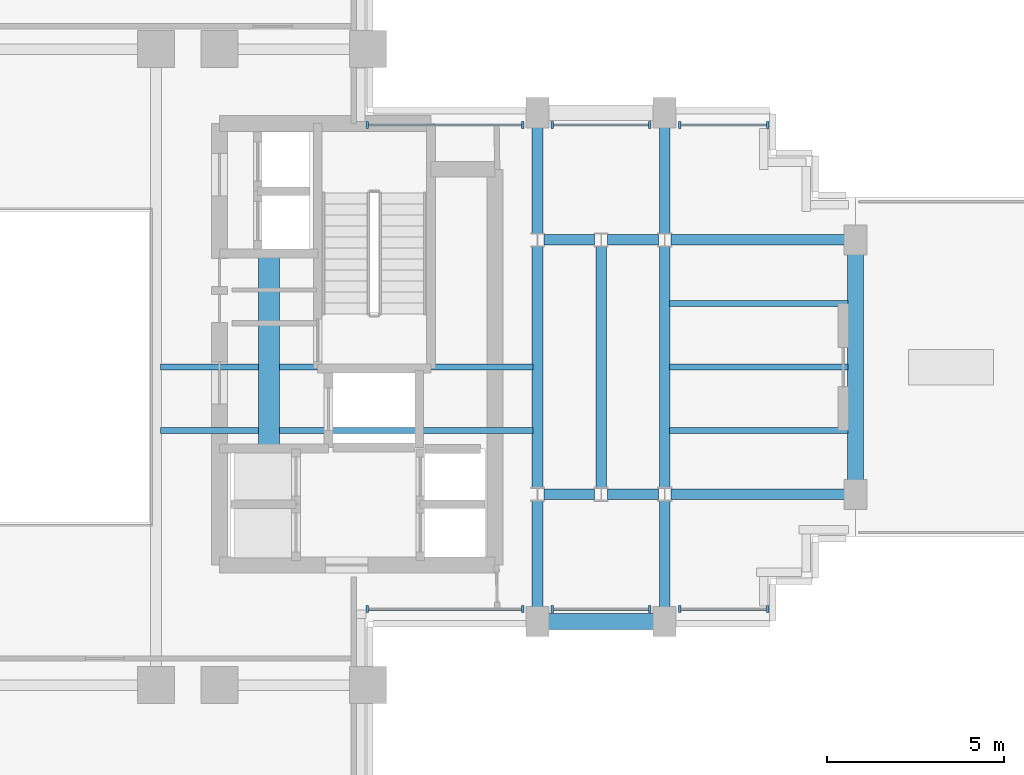
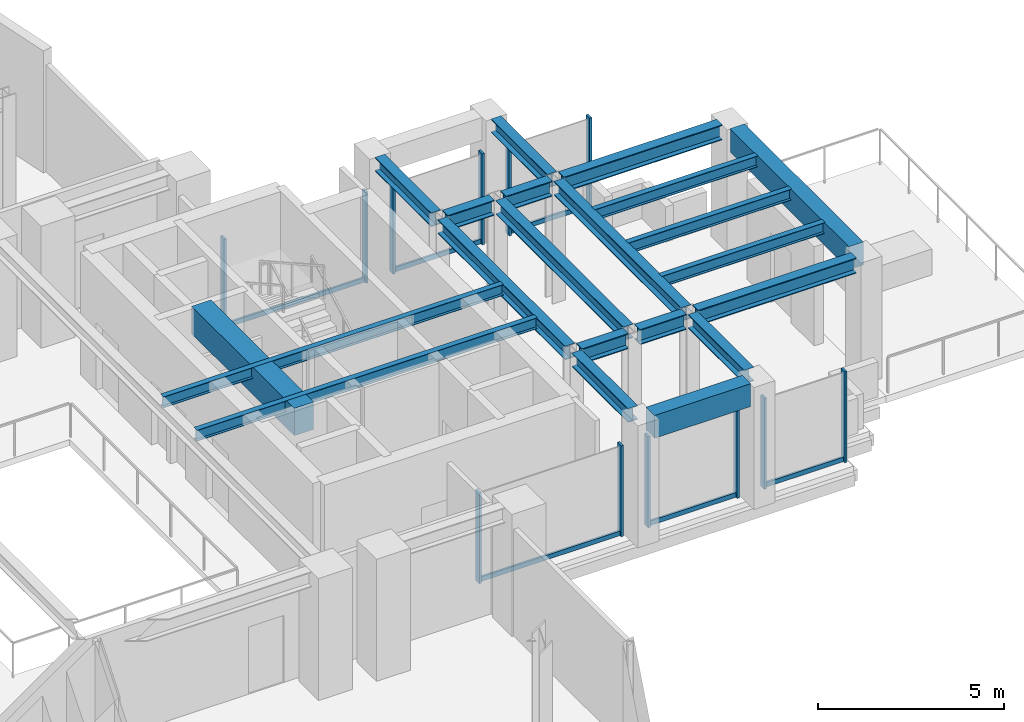
# One storey, part 5 of 16: 21 beams, 18 members, 6 elements without a shape of their own.
"""IFC4 building model written with IfcOpenShell, lengths in metres."""

import ifcopenshell
import ifcopenshell.guid

model = None  # the IFC model being written
_history = None  # IfcOwnerHistory: only IFC2X3 demands one
_inside = {}  # id of a spatial element -> (the spatial element, [elements in it])
_under = {}  # id of a project, library or spatial element -> (it, [spatial elements below it])
_declared = {}  # id of a project -> (the project, [libraries it declares])
_typed = {}  # id of a type object -> (the type object, [elements of that type])
_made_of = {}  # id of a material, layer set ... -> (it, [elements and type objects made of it])


def new_model(schema):
    """Start an empty IFC model of exactly this schema.

    Asked for "IFC4X3", IfcOpenShell would pick the latest addendum, in which some entities
    have other attributes; the version numbers below select the first issue.
    IFC2X3 requires an IfcOwnerHistory on every rooted entity: one is made here for all.
    """
    global model, _history
    if schema == "IFC4X3":
        model = ifcopenshell.file(schema_version=(4, 3, 0, 0))
    else:
        model = ifcopenshell.file(schema=schema)
    _inside.clear()
    _under.clear()
    _declared.clear()
    _typed.clear()
    _made_of.clear()
    _history = None
    if model.schema == "IFC2X3":
        org = make("IfcOrganization", Name="unknown")
        user = make(
            "IfcPersonAndOrganization",
            ThePerson=make("IfcPerson", FamilyName="unknown"),
            TheOrganization=org,
        )
        app = make(
            "IfcApplication",
            ApplicationDeveloper=org,
            Version="unknown",
            ApplicationFullName="unknown",
            ApplicationIdentifier="unknown",
        )
        _history = make(
            "IfcOwnerHistory",
            OwningUser=user,
            OwningApplication=app,
            ChangeAction="ADDED",
            CreationDate=0,
        )
    return model


def make(cls, **values):
    """One entity of the class cls with the attributes given. An attribute that is None is left unset."""
    return model.create_entity(
        cls, **{name: value for name, value in values.items() if value is not None}
    )


def rooted(cls, **values):
    """An entity with a GlobalId (a new one), such as an element, a storey or a relation."""
    return make(cls, GlobalId=ifcopenshell.guid.new(), OwnerHistory=_history, **values)


def si_unit(unit_type, name, prefix=None):
    """IfcSIUnit, for example si_unit("LENGTHUNIT", "METRE", prefix="MILLI")."""
    return make("IfcSIUnit", UnitType=unit_type, Prefix=prefix, Name=name)


def assignment(units):
    """IfcUnitAssignment: the units of a project."""
    return None if units is None else make("IfcUnitAssignment", Units=units)


def point(xyz):
    """IfcCartesianPoint."""
    return None if xyz is None else make("IfcCartesianPoint", Coordinates=xyz)


def direction(xyz):
    """IfcDirection."""
    return None if xyz is None else make("IfcDirection", DirectionRatios=xyz)


def frame(location, z_axis=None, x_axis=None):
    """IfcAxis2Placement3D, a coordinate frame: its origin and axes. An axis left out is left unset."""
    return make(
        "IfcAxis2Placement3D",
        Location=point(location),
        Axis=direction(z_axis),
        RefDirection=direction(x_axis),
    )


def frame_2d(location, x_axis=None):
    """IfcAxis2Placement2D, a coordinate frame in the plane: its origin and x axis."""
    return make(
        "IfcAxis2Placement2D", Location=point(location), RefDirection=direction(x_axis)
    )


def origin():
    """The frame at (0, 0, 0) with its axes left unset."""
    return frame((0.0, 0.0, 0.0))


def origin_2d():
    """The frame at (0, 0) in the plane with its x axis left unset."""
    return frame_2d((0.0, 0.0))


def place(relative_to, where):
    """IfcLocalPlacement: puts the frame where relative to a parent placement (None: the world)."""
    return make(
        "IfcLocalPlacement", PlacementRelTo=relative_to, RelativePlacement=where
    )


def context(
    kind, dimensions, precision=None, world=None, true_north=None, identifier=None
):
    """IfcGeometricRepresentationContext, for example the 3D "Model" context."""
    return make(
        "IfcGeometricRepresentationContext",
        ContextIdentifier=identifier,
        ContextType=kind,
        CoordinateSpaceDimension=dimensions,
        Precision=precision,
        WorldCoordinateSystem=world,
        TrueNorth=true_north,
    )


def subcontext(parent, identifier, kind, view, scale=None):
    """IfcGeometricRepresentationSubContext, for example "Body" below "Model"."""
    return make(
        "IfcGeometricRepresentationSubContext",
        ContextIdentifier=identifier,
        ContextType=kind,
        ParentContext=parent,
        TargetScale=scale,
        TargetView=view,
    )


def project(units=None, contexts=None):
    """IfcProject with its units and contexts."""
    return rooted(
        "IfcProject",
        Name="project",
        RepresentationContexts=contexts,
        UnitsInContext=assignment(units),
    )


def spatial(cls, under=None, at=None, **own):
    """A site, building, storey or space (cls), placed at a placement, below another one or the project."""
    s = rooted(cls, ObjectPlacement=at, **own)
    if under is not None:
        _under.setdefault(under.id(), (under, []))[1].append(s)
    return s


def profile(cls, at=None, kind="AREA", **sizes):
    """A parametric profile (cls). Its sizes go by their IFC names, for example OverallWidth=200.0."""
    return make(cls, ProfileType=kind, Position=at, **sizes)


def rectangle(**sizes):
    """IfcRectangleProfileDef."""
    return profile("IfcRectangleProfileDef", **sizes)


def i_section(**sizes):
    """IfcIShapeProfileDef."""
    return profile("IfcIShapeProfileDef", **sizes)


def extrude(swept, where, along, depth):
    """IfcExtrudedAreaSolid: the profile swept, set in the frame where, extruded along a direction by depth."""
    return make(
        "IfcExtrudedAreaSolid",
        SweptArea=swept,
        Position=where,
        ExtrudedDirection=direction(along),
        Depth=depth,
    )


def shape(context_of_items, identifier, shape_type, items):
    """IfcShapeRepresentation: the items that make up one representation, for example the "Body"."""
    return make(
        "IfcShapeRepresentation",
        ContextOfItems=context_of_items,
        RepresentationIdentifier=identifier,
        RepresentationType=shape_type,
        Items=items,
    )


def source(mapping_origin, context_of_items, identifier, shape_type, items):
    """IfcRepresentationMap: a shape defined once, which mapped items show again and again."""
    return make(
        "IfcRepresentationMap",
        MappingOrigin=mapping_origin,
        MappedRepresentation=shape(context_of_items, identifier, shape_type, items),
    )


def transform(
    local_origin,
    x_axis=None,
    y_axis=None,
    z_axis=None,
    scale=None,
    scale2=None,
    scale3=None,
    uniform=True,
):
    """IfcCartesianTransformationOperator3D, or its non-uniform kind. x_axis, y_axis, z_axis: its Axis1, 2, 3."""
    if uniform:
        return make(
            "IfcCartesianTransformationOperator3D",
            Axis1=direction(x_axis),
            Axis2=direction(y_axis),
            LocalOrigin=point(local_origin),
            Scale=scale,
            Axis3=direction(z_axis),
        )
    return make(
        "IfcCartesianTransformationOperator3DnonUniform",
        Axis1=direction(x_axis),
        Axis2=direction(y_axis),
        LocalOrigin=point(local_origin),
        Scale=scale,
        Axis3=direction(z_axis),
        Scale2=scale2,
        Scale3=scale3,
    )


def mapped(mapping_source, mapping_target):
    """IfcMappedItem: shows the shape of a source again, moved by a transform."""
    return make(
        "IfcMappedItem", MappingSource=mapping_source, MappingTarget=mapping_target
    )


def material(Name=None, Category=None):
    """IfcMaterial."""
    return make("IfcMaterial", Name=Name, Category=Category)


def material_profile(
    of_material, cross_section, Name=None, Category=None, Priority=None
):
    """IfcMaterialProfile: a cross section and its material."""
    return make(
        "IfcMaterialProfile",
        Name=Name,
        Material=of_material,
        Profile=cross_section,
        Priority=Priority,
        Category=Category,
    )


def profile_set(profiles, Name=None, composite=None):
    """IfcMaterialProfileSet."""
    return make(
        "IfcMaterialProfileSet",
        Name=Name,
        MaterialProfiles=profiles,
        CompositeProfile=composite,
    )


def made_of(thing, what):
    """Note that an element or type object is made of a material, layer set ...; save() writes the relation."""
    if what is not None:
        _made_of.setdefault(what.id(), (what, []))[1].append(thing)
    return thing


def type_object(cls, material=None, **own):
    """A type object (cls), such as IfcWallType, which elements share."""
    return made_of(rooted(cls, **own), material)


def element(
    cls,
    number,
    at=None,
    inside=None,
    cuts=None,
    type_object=None,
    material=None,
    context=None,
    identifier="Body",
    shape_type=None,
    held_by="IfcProductDefinitionShape",
    body=None,
    shapes=None,
    **own,
):
    """One element of the class cls, such as IfcWall. Its Tag is "e" and its number.

    at: its placement. inside: the storey or other place that contains it. cuts: it is an
    opening in that element (IfcRelVoidsElement). A single representation is given by context,
    identifier, shape_type and body (its items); several are given by shapes. held_by: the class
    of the entity that holds the representations. save() writes the other relations.
    """
    e = rooted(cls, Tag="e%d" % number, ObjectPlacement=at, **own)
    if body is not None:
        shapes = [shape(context, identifier, shape_type, body)]
    if shapes is not None:
        e.Representation = make(held_by, Representations=shapes)
    if inside is not None:
        _inside.setdefault(inside.id(), (inside, []))[1].append(e)
    if cuts is not None:
        rooted(
            "IfcRelVoidsElement", RelatingBuildingElement=cuts, RelatedOpeningElement=e
        )
    if type_object is not None:
        _typed.setdefault(type_object.id(), (type_object, []))[1].append(e)
    return made_of(e, material)


def aggregate(whole, parts):
    """IfcRelAggregates: a whole, such as a stair, and the parts it consists of."""
    return rooted("IfcRelAggregates", RelatingObject=whole, RelatedObjects=parts)


def save(model, path):
    """Write the relations noted so far, then the file.

    IfcRelAggregates (storeys below a building ...), IfcRelContainedInSpatialStructure (elements
    in a storey), IfcRelDefinesByType, IfcRelAssociatesMaterial and IfcRelDeclares: one each for
    every whole, place, type object, material and project.
    """
    for whole, parts in _under.values():
        aggregate(whole, parts)
    for where, things in _inside.values():
        rooted(
            "IfcRelContainedInSpatialStructure",
            RelatedElements=things,
            RelatingStructure=where,
        )
    for kind, things in _typed.values():
        rooted("IfcRelDefinesByType", RelatedObjects=things, RelatingType=kind)
    for what, things in _made_of.values():
        rooted("IfcRelAssociatesMaterial", RelatedObjects=things, RelatingMaterial=what)
    for by, libraries in _declared.values():
        rooted("IfcRelDeclares", RelatingContext=by, RelatedDefinitions=libraries)
    model.write(path)


model = new_model("IFC4")

# Units and contexts
model_context = context("Model", 3, precision=1e-05, world=origin(), true_north=direction((0.0, 1.0)))
body_context = subcontext(model_context, "Body", "Model", "MODEL_VIEW")
ifc_project = project(units=[si_unit("LENGTHUNIT", "METRE"), si_unit("AREAUNIT", "SQUARE_METRE"), si_unit("VOLUMEUNIT", "CUBIC_METRE"), si_unit("PLANEANGLEUNIT", "RADIAN"), si_unit("MASSUNIT", "GRAM", prefix="KILO")], contexts=[model_context])

# Site, building, storey
site_placement = place(None, origin())
site = spatial("IfcSite", under=ifc_project, at=site_placement, CompositionType="ELEMENT")
building_placement = place(site_placement, origin())
building = spatial("IfcBuilding", under=site, at=building_placement, Name="Keilestroom Media Tower", CompositionType="ELEMENT")
storey_placement = place(building_placement, frame((0.0, 0.0, 93.0)))
storey = spatial("IfcBuildingStorey", under=building, at=storey_placement, Name="L24", CompositionType="ELEMENT", Elevation=93.0)

# Beams
ifc_material_1 = material(Name="Concrete C70/85", Category="concrete")
ifc_material_profile_1 = material_profile(ifc_material_1, rectangle(XDim=0.60009765625, YDim=0.89990234375, at=origin_2d()), Name="RC 600x900")
ifc_profile_set_1 = profile_set([ifc_material_profile_1], Name="Concrete C70/85")
beam_type_1 = type_object("IfcBeamType", Name="Core-Coupling-Lintel-Beam-RC-600x900", PredefinedType="LINTEL", material=ifc_profile_set_1)
shared_shape_1 = source(origin(), body_context, "Body", "SweptSolid", [
    extrude(rectangle(XDim=0.60009765625, YDim=0.89990234375, at=origin_2d()), origin(), (0.0, 0.0, 1.0), 5.52001953125),
])
beam_1_placement = place(storey_placement, frame((6.800048828125, -2.300048828125, 3.550048828125), z_axis=(0.0, 1.0, 0.0), x_axis=(-1.0, 0.0, 0.0)))
element("IfcBeam", 1, at=beam_1_placement, inside=storey, type_object=beam_type_1, Name="L24 Beam CLB-1 CLB-L24-E", PredefinedType="LINTEL", context=body_context, shape_type="MappedRepresentation", body=[
    mapped(shared_shape_1, transform((0.0, 0.0, 0.0), x_axis=(1.0, 0.0, 0.0), y_axis=(0.0, 1.0, 0.0), z_axis=(0.0, 0.0, 1.0), scale=1.0)),
])
ifc_material_2 = material(Name="Steel S355", Category="steel")
ifc_material_profile_2 = material_profile(ifc_material_2, i_section(OverallWidth=0.169921875, OverallDepth=0.360107421875, WebThickness=0.008056640625, FlangeThickness=0.0126953125, at=origin_2d()), Name="IPE 360")
ifc_profile_set_2 = profile_set([ifc_material_profile_2], Name="Steel S355")
beam_type_2 = type_object("IfcBeamType", Name="Secondary-Floor-Joist-IPE-360", PredefinedType="JOIST", material=ifc_profile_set_2)
shared_shape_2 = source(origin(), body_context, "Body", "SweptSolid", [
    extrude(i_section(OverallWidth=0.169921875, OverallDepth=0.360107421875, WebThickness=0.008056640625, FlangeThickness=0.0126953125, at=origin_2d()), origin(), (0.0, 0.0, 1.0), 10.5400390625),
])
for number, where, z_axis, x_axis, name in (
    (2, (3.72998046875, -1.800048828125, 3.820068359375), (1.0, 0.0, 0.0), (0.0, 1.0, 0.0), "L24 Beam BJ-5 JST-L24-074"),
    (3, (3.72998046875, 0.0, 3.820068359375), (1.0, 0.0, 0.0), (0.0, 1.0, 0.0), "L24 Beam BJ-5 JST-L24-079"),
):
    element("IfcBeam", number, at=place(storey_placement, frame(where, z_axis=z_axis, x_axis=x_axis)), inside=storey, type_object=beam_type_2, Name=name, PredefinedType="JOIST", context=body_context, shape_type="MappedRepresentation", body=[
        mapped(shared_shape_2, transform((0.0, 0.0, 0.0), x_axis=(1.0, 0.0, 0.0), y_axis=(0.0, 1.0, 0.0), z_axis=(0.0, 0.0, 1.0), scale=1.0)),
    ])
ifc_material_3 = material(Name="Precast concrete C40/50", Category="concrete")
ifc_material_profile_3 = material_profile(ifc_material_3, rectangle(XDim=0.449951171875, YDim=0.75, at=origin_2d()), Name="PC 450x750")
ifc_profile_set_3 = profile_set([ifc_material_profile_3], Name="Precast concrete C40/50")
beam_type_3 = type_object("IfcBeamType", Name="Perimeter-Spandrel-Beam-PC-450x750", PredefinedType="SPANDREL", material=ifc_profile_set_3)
shared_shape_3 = source(origin(), body_context, "Body", "SweptSolid", [
    extrude(rectangle(XDim=0.449951171875, YDim=0.75, at=origin_2d()), origin(), (0.0, 0.0, 1.0), 2.989990234375),
])
beam_2_placement = place(storey_placement, frame((14.705078125, -7.199951171875, 3.625), z_axis=(1.0, 0.0, 0.0), x_axis=(0.0, 1.0, 0.0)))
element("IfcBeam", 4, at=beam_2_placement, inside=storey, type_object=beam_type_3, Name="L24 Beam SPB-1 BM-L24-EW-013", PredefinedType="SPANDREL", context=body_context, shape_type="MappedRepresentation", body=[
    mapped(shared_shape_3, transform((0.0, 0.0, 0.0), x_axis=(1.0, 0.0, 0.0), y_axis=(0.0, 1.0, 0.0), z_axis=(0.0, 0.0, 1.0), scale=1.0)),
])
ifc_material_profile_4 = material_profile(ifc_material_2, i_section(OverallWidth=0.300048828125, OverallDepth=0.5, WebThickness=0.012451171875, FlangeThickness=0.028076171875, at=origin_2d()), Name="HEB 500")
ifc_profile_set_4 = profile_set([ifc_material_profile_4], Name="Steel S355")
beam_type_4 = type_object("IfcBeamType", Name="Primary-Structural-Girder-HEB-500", PredefinedType="BEAM", material=ifc_profile_set_4)
shared_shape_4 = source(origin(), body_context, "Body", "SweptSolid", [
    extrude(i_section(OverallWidth=0.300048828125, OverallDepth=0.5, WebThickness=0.012451171875, FlangeThickness=0.028076171875, at=origin_2d()), origin(), (0.0, 0.0, 1.0), 4.91455078125),
])
for number, where, z_axis, x_axis, name in (
    (5, (18.180419921875, -3.60009765625, 3.75), (1.0, 0.0, 0.0), (0.0, 1.0, 0.0), "L24 Beam BG-6 BM-L24-EW-019"),
    (6, (18.180419921875, 3.60009765625, 3.75), (1.0, 0.0, 0.0), (0.0, 1.0, 0.0), "L24 Beam BG-6 BM-L24-EW-025"),
):
    element("IfcBeam", number, at=place(storey_placement, frame(where, z_axis=z_axis, x_axis=x_axis)), inside=storey, type_object=beam_type_4, Name=name, PredefinedType="BEAM", context=body_context, shape_type="MappedRepresentation", body=[
        mapped(shared_shape_4, transform((0.0, 0.0, 0.0), x_axis=(1.0, 0.0, 0.0), y_axis=(0.0, 1.0, 0.0), z_axis=(0.0, 0.0, 1.0), scale=1.0)),
    ])
shared_shape_5 = source(origin(), body_context, "Body", "SweptSolid", [
    extrude(i_section(OverallWidth=0.300048828125, OverallDepth=0.5, WebThickness=0.012451171875, FlangeThickness=0.028076171875, at=origin_2d()), origin(), (0.0, 0.0, 1.0), 1.43896484375),
])
for number, where, z_axis, x_axis, name in (
    (7, (14.58056640625, -3.60009765625, 3.75), (1.0, 0.0, 0.0), (0.0, 1.0, 0.0), "L24 Beam BG-6 BM-L24-EW-017"),
    (8, (16.380615234375, -3.60009765625, 3.75), (1.0, 0.0, 0.0), (0.0, 1.0, 0.0), "L24 Beam BG-6 BM-L24-EW-018"),
    (9, (14.58056640625, 3.60009765625, 3.75), (1.0, 0.0, 0.0), (0.0, 1.0, 0.0), "L24 Beam BG-6 BM-L24-EW-023"),
    (10, (16.380615234375, 3.60009765625, 3.75), (1.0, 0.0, 0.0), (0.0, 1.0, 0.0), "L24 Beam BG-6 BM-L24-EW-024"),
):
    element("IfcBeam", number, at=place(storey_placement, frame(where, z_axis=z_axis, x_axis=x_axis)), inside=storey, type_object=beam_type_4, Name=name, PredefinedType="BEAM", context=body_context, shape_type="MappedRepresentation", body=[
        mapped(shared_shape_5, transform((0.0, 0.0, 0.0), x_axis=(1.0, 0.0, 0.0), y_axis=(0.0, 1.0, 0.0), z_axis=(0.0, 0.0, 1.0), scale=1.0)),
    ])
shared_shape_6 = source(origin(), body_context, "Body", "SweptSolid", [
    extrude(rectangle(XDim=0.449951171875, YDim=0.75, at=origin_2d()), origin(), (0.0, 0.0, 1.0), 6.39013671875),
])
beam_3_placement = place(storey_placement, frame((23.39990234375, -3.195068359375, 3.625), z_axis=(0.0, 1.0, 0.0), x_axis=(-1.0, 0.0, 0.0)))
element("IfcBeam", 11, at=beam_3_placement, inside=storey, type_object=beam_type_3, Name="L24 Beam SPB-1 BM-L24-NS-068", PredefinedType="SPANDREL", context=body_context, shape_type="MappedRepresentation", body=[
    mapped(shared_shape_6, transform((0.0, 0.0, 0.0), x_axis=(1.0, 0.0, 0.0), y_axis=(0.0, 1.0, 0.0), z_axis=(0.0, 0.0, 1.0), scale=1.0)),
])
ifc_material_profile_5 = material_profile(ifc_material_2, i_section(OverallWidth=0.300048828125, OverallDepth=0.449951171875, WebThickness=0.011962890625, FlangeThickness=0.02587890625, at=origin_2d()), Name="HEB 450")
ifc_profile_set_5 = profile_set([ifc_material_profile_5], Name="Steel S355")
beam_type_5 = type_object("IfcBeamType", Name="Primary-Structural-Girder-HEB-450", PredefinedType="BEAM", material=ifc_profile_set_5)
shared_shape_7 = source(origin(), body_context, "Body", "SweptSolid", [
    extrude(i_section(OverallWidth=0.300048828125, OverallDepth=0.449951171875, WebThickness=0.011962890625, FlangeThickness=0.02587890625, at=origin_2d()), origin(), (0.0, 0.0, 1.0), 3.015380859375),
])
for number, where, z_axis, x_axis, name in (
    (12, (14.39990234375, -6.794921875, 3.77490234375), (0.0, 1.0, 0.0), (-1.0, 0.0, 0.0), "L24 Beam BG-7 BM-L24-NS-061"),
    (13, (14.39990234375, 3.779541015625, 3.77490234375), (0.0, 1.0, 0.0), (-1.0, 0.0, 0.0), "L24 Beam BG-7 BM-L24-NS-063"),
    (14, (18.0, -6.794921875, 3.77490234375), (0.0, 1.0, 0.0), (-1.0, 0.0, 0.0), "L24 Beam BG-7 BM-L24-NS-065"),
    (15, (18.0, 3.779541015625, 3.77490234375), (0.0, 1.0, 0.0), (-1.0, 0.0, 0.0), "L24 Beam BG-7 BM-L24-NS-067"),
):
    element("IfcBeam", number, at=place(storey_placement, frame(where, z_axis=z_axis, x_axis=x_axis)), inside=storey, type_object=beam_type_5, Name=name, PredefinedType="BEAM", context=body_context, shape_type="MappedRepresentation", body=[
        mapped(shared_shape_7, transform((0.0, 0.0, 0.0), x_axis=(1.0, 0.0, 0.0), y_axis=(0.0, 1.0, 0.0), z_axis=(0.0, 0.0, 1.0), scale=1.0)),
    ])
shared_shape_8 = source(origin(), body_context, "Body", "SweptSolid", [
    extrude(i_section(OverallWidth=0.300048828125, OverallDepth=0.449951171875, WebThickness=0.011962890625, FlangeThickness=0.02587890625, at=origin_2d()), origin(), (0.0, 0.0, 1.0), 6.8408203125),
])
for number, where, z_axis, x_axis, name in (
    (16, (14.39990234375, -3.42041015625, 3.77490234375), (0.0, 1.0, 0.0), (-1.0, 0.0, 0.0), "L24 Beam BG-7 BM-L24-NS-062"),
    (17, (16.199951171875, -3.42041015625, 3.77490234375), (0.0, 1.0, 0.0), (-1.0, 0.0, 0.0), "L24 Beam BG-7 BM-L24-NS-064"),
    (18, (18.0, -3.42041015625, 3.77490234375), (0.0, 1.0, 0.0), (-1.0, 0.0, 0.0), "L24 Beam BG-7 BM-L24-NS-066"),
):
    element("IfcBeam", number, at=place(storey_placement, frame(where, z_axis=z_axis, x_axis=x_axis)), inside=storey, type_object=beam_type_5, Name=name, PredefinedType="BEAM", context=body_context, shape_type="MappedRepresentation", body=[
        mapped(shared_shape_8, transform((0.0, 0.0, 0.0), x_axis=(1.0, 0.0, 0.0), y_axis=(0.0, 1.0, 0.0), z_axis=(0.0, 0.0, 1.0), scale=1.0)),
    ])
shared_shape_9 = source(origin(), body_context, "Body", "SweptSolid", [
    extrude(i_section(OverallWidth=0.169921875, OverallDepth=0.360107421875, WebThickness=0.008056640625, FlangeThickness=0.0126953125, at=origin_2d()), origin(), (0.0, 0.0, 1.0), 5.065185546875),
])
for number, where, z_axis, x_axis, name in (
    (19, (18.1298828125, -1.800048828125, 3.820068359375), (1.0, 0.0, 0.0), (0.0, 1.0, 0.0), "L24 Beam BJ-5 JST-L24-075"),
    (20, (18.1298828125, 0.0, 3.820068359375), (1.0, 0.0, 0.0), (0.0, 1.0, 0.0), "L24 Beam BJ-5 JST-L24-080"),
    (21, (18.1298828125, 1.800048828125, 3.820068359375), (1.0, 0.0, 0.0), (0.0, 1.0, 0.0), "L24 Beam BJ-5 JST-L24-085"),
):
    element("IfcBeam", number, at=place(storey_placement, frame(where, z_axis=z_axis, x_axis=x_axis)), inside=storey, type_object=beam_type_2, Name=name, PredefinedType="JOIST", context=body_context, shape_type="MappedRepresentation", body=[
        mapped(shared_shape_9, transform((0.0, 0.0, 0.0), x_axis=(1.0, 0.0, 0.0), y_axis=(0.0, 1.0, 0.0), z_axis=(0.0, 0.0, 1.0), scale=1.0)),
    ])

# Curtain wall, members
ifc_material_4 = material(Name="Anodised Aluminium Alloy", Category="aluminium")
curtain_wall_type = type_object("IfcCurtainWallType", Name="Unitised-Curtain-Wall-CW-2", PredefinedType="NOTDEFINED", material=ifc_material_4)
curtain_wall_1_placement = place(storey_placement, origin())
curtain_wall_1 = element("IfcCurtainWall", 22, at=curtain_wall_1_placement, inside=storey, type_object=curtain_wall_type, Name="L24 Curtain Wall CW-2 CW-L24-NE-1", PredefinedType="NOTDEFINED")
ifc_material_profile_6 = material_profile(ifc_material_4, rectangle(XDim=0.070068359375, YDim=0.199951171875, at=origin_2d()), Name="ALU MULLION 70x200")
ifc_profile_set_6 = profile_set([ifc_material_profile_6], Name="Anodised Aluminium Alloy")
member_type_1 = type_object("IfcMemberType", Name="Curtain-Wall-Mullion-CW-2", PredefinedType="MULLION", material=ifc_profile_set_6)
shared_shape_10 = source(origin(), body_context, "Body", "SweptSolid", [
    extrude(rectangle(XDim=0.070068359375, YDim=0.199951171875, at=origin_2d()), origin(), (0.0, 0.0, 1.0), 2.97998046875),
])
member_1_placement = place(storey_placement, frame((9.5849609375, 6.85009765625, 0.0), z_axis=(0.0, 0.0, 1.0), x_axis=(1.0, 0.0, 0.0)))
member_1 = element("IfcMember", 23, at=member_1_placement, type_object=member_type_1, Name="CW-2 Mullion 00", PredefinedType="MULLION", context=body_context, shape_type="MappedRepresentation", body=[
    mapped(shared_shape_10, transform((0.0, 0.0, 0.0), x_axis=(1.0, 0.0, 0.0), y_axis=(0.0, 1.0, 0.0), z_axis=(0.0, 0.0, 1.0), scale=1.0)),
])
member_2_placement = place(storey_placement, frame((13.97998046875, 6.85009765625, 0.0), z_axis=(0.0, 0.0, 1.0), x_axis=(1.0, 0.0, 0.0)))
member_2 = element("IfcMember", 24, at=member_2_placement, type_object=member_type_1, Name="CW-2 Mullion 01", PredefinedType="MULLION", context=body_context, shape_type="MappedRepresentation", body=[
    mapped(shared_shape_10, transform((0.0, 0.0, 0.0), x_axis=(1.0, 0.0, 0.0), y_axis=(0.0, 1.0, 0.0), z_axis=(0.0, 0.0, 1.0), scale=1.0)),
])

curtain_wall_2_placement = place(storey_placement, origin())
curtain_wall_2 = element("IfcCurtainWall", 25, at=curtain_wall_2_placement, inside=storey, type_object=curtain_wall_type, Name="L24 Curtain Wall CW-2 CW-L24-NE-2", PredefinedType="NOTDEFINED")
member_3_placement = place(storey_placement, frame((14.820068359375, 6.85009765625, 0.0), z_axis=(0.0, 0.0, 1.0), x_axis=(1.0, 0.0, 0.0)))
member_3 = element("IfcMember", 26, at=member_3_placement, type_object=member_type_1, Name="CW-2 Mullion 00", PredefinedType="MULLION", context=body_context, shape_type="MappedRepresentation", body=[
    mapped(shared_shape_10, transform((0.0, 0.0, 0.0), x_axis=(1.0, 0.0, 0.0), y_axis=(0.0, 1.0, 0.0), z_axis=(0.0, 0.0, 1.0), scale=1.0)),
])
member_4_placement = place(storey_placement, frame((17.580078125, 6.85009765625, 0.0), z_axis=(0.0, 0.0, 1.0), x_axis=(1.0, 0.0, 0.0)))
member_4 = element("IfcMember", 27, at=member_4_placement, type_object=member_type_1, Name="CW-2 Mullion 01", PredefinedType="MULLION", context=body_context, shape_type="MappedRepresentation", body=[
    mapped(shared_shape_10, transform((0.0, 0.0, 0.0), x_axis=(1.0, 0.0, 0.0), y_axis=(0.0, 1.0, 0.0), z_axis=(0.0, 0.0, 1.0), scale=1.0)),
])

curtain_wall_3_placement = place(storey_placement, origin())
curtain_wall_3 = element("IfcCurtainWall", 28, at=curtain_wall_3_placement, inside=storey, type_object=curtain_wall_type, Name="L24 Curtain Wall CW-2 CW-L24-NE-3", PredefinedType="NOTDEFINED")
member_5_placement = place(storey_placement, frame((18.419921875, 6.85009765625, 0.0), z_axis=(0.0, 0.0, 1.0), x_axis=(1.0, 0.0, 0.0)))
member_5 = element("IfcMember", 29, at=member_5_placement, type_object=member_type_1, Name="CW-2 Mullion 00", PredefinedType="MULLION", context=body_context, shape_type="MappedRepresentation", body=[
    mapped(shared_shape_10, transform((0.0, 0.0, 0.0), x_axis=(1.0, 0.0, 0.0), y_axis=(0.0, 1.0, 0.0), z_axis=(0.0, 0.0, 1.0), scale=1.0)),
])
member_6_placement = place(storey_placement, frame((20.9150390625, 6.85009765625, 0.0), z_axis=(0.0, 0.0, 1.0), x_axis=(1.0, 0.0, 0.0)))
member_6 = element("IfcMember", 30, at=member_6_placement, type_object=member_type_1, Name="CW-2 Mullion 01", PredefinedType="MULLION", context=body_context, shape_type="MappedRepresentation", body=[
    mapped(shared_shape_10, transform((0.0, 0.0, 0.0), x_axis=(1.0, 0.0, 0.0), y_axis=(0.0, 1.0, 0.0), z_axis=(0.0, 0.0, 1.0), scale=1.0)),
])

curtain_wall_4_placement = place(storey_placement, origin())
curtain_wall_4 = element("IfcCurtainWall", 31, at=curtain_wall_4_placement, inside=storey, type_object=curtain_wall_type, Name="L24 Curtain Wall CW-2 CW-L24-SE-1", PredefinedType="NOTDEFINED")
member_7_placement = place(storey_placement, frame((9.5849609375, -6.85009765625, 0.0), z_axis=(0.0, 0.0, 1.0), x_axis=(1.0, 0.0, 0.0)))
member_7 = element("IfcMember", 32, at=member_7_placement, type_object=member_type_1, Name="CW-2 Mullion 00", PredefinedType="MULLION", context=body_context, shape_type="MappedRepresentation", body=[
    mapped(shared_shape_10, transform((0.0, 0.0, 0.0), x_axis=(1.0, 0.0, 0.0), y_axis=(0.0, 1.0, 0.0), z_axis=(0.0, 0.0, 1.0), scale=1.0)),
])
member_8_placement = place(storey_placement, frame((13.97998046875, -6.85009765625, 0.0), z_axis=(0.0, 0.0, 1.0), x_axis=(1.0, 0.0, 0.0)))
member_8 = element("IfcMember", 33, at=member_8_placement, type_object=member_type_1, Name="CW-2 Mullion 01", PredefinedType="MULLION", context=body_context, shape_type="MappedRepresentation", body=[
    mapped(shared_shape_10, transform((0.0, 0.0, 0.0), x_axis=(1.0, 0.0, 0.0), y_axis=(0.0, 1.0, 0.0), z_axis=(0.0, 0.0, 1.0), scale=1.0)),
])

curtain_wall_5_placement = place(storey_placement, origin())
curtain_wall_5 = element("IfcCurtainWall", 34, at=curtain_wall_5_placement, inside=storey, type_object=curtain_wall_type, Name="L24 Curtain Wall CW-2 CW-L24-SE-2", PredefinedType="NOTDEFINED")
member_9_placement = place(storey_placement, frame((14.820068359375, -6.85009765625, 0.0), z_axis=(0.0, 0.0, 1.0), x_axis=(1.0, 0.0, 0.0)))
member_9 = element("IfcMember", 35, at=member_9_placement, type_object=member_type_1, Name="CW-2 Mullion 00", PredefinedType="MULLION", context=body_context, shape_type="MappedRepresentation", body=[
    mapped(shared_shape_10, transform((0.0, 0.0, 0.0), x_axis=(1.0, 0.0, 0.0), y_axis=(0.0, 1.0, 0.0), z_axis=(0.0, 0.0, 1.0), scale=1.0)),
])
member_10_placement = place(storey_placement, frame((17.580078125, -6.85009765625, 0.0), z_axis=(0.0, 0.0, 1.0), x_axis=(1.0, 0.0, 0.0)))
member_10 = element("IfcMember", 36, at=member_10_placement, type_object=member_type_1, Name="CW-2 Mullion 01", PredefinedType="MULLION", context=body_context, shape_type="MappedRepresentation", body=[
    mapped(shared_shape_10, transform((0.0, 0.0, 0.0), x_axis=(1.0, 0.0, 0.0), y_axis=(0.0, 1.0, 0.0), z_axis=(0.0, 0.0, 1.0), scale=1.0)),
])

curtain_wall_6_placement = place(storey_placement, origin())
curtain_wall_6 = element("IfcCurtainWall", 37, at=curtain_wall_6_placement, inside=storey, type_object=curtain_wall_type, Name="L24 Curtain Wall CW-2 CW-L24-SE-3", PredefinedType="NOTDEFINED")
member_11_placement = place(storey_placement, frame((18.419921875, -6.85009765625, 0.0), z_axis=(0.0, 0.0, 1.0), x_axis=(1.0, 0.0, 0.0)))
member_11 = element("IfcMember", 38, at=member_11_placement, type_object=member_type_1, Name="CW-2 Mullion 00", PredefinedType="MULLION", context=body_context, shape_type="MappedRepresentation", body=[
    mapped(shared_shape_10, transform((0.0, 0.0, 0.0), x_axis=(1.0, 0.0, 0.0), y_axis=(0.0, 1.0, 0.0), z_axis=(0.0, 0.0, 1.0), scale=1.0)),
])
member_12_placement = place(storey_placement, frame((20.9150390625, -6.85009765625, 0.0), z_axis=(0.0, 0.0, 1.0), x_axis=(1.0, 0.0, 0.0)))
member_12 = element("IfcMember", 39, at=member_12_placement, type_object=member_type_1, Name="CW-2 Mullion 01", PredefinedType="MULLION", context=body_context, shape_type="MappedRepresentation", body=[
    mapped(shared_shape_10, transform((0.0, 0.0, 0.0), x_axis=(1.0, 0.0, 0.0), y_axis=(0.0, 1.0, 0.0), z_axis=(0.0, 0.0, 1.0), scale=1.0)),
])

# Member
ifc_material_profile_7 = material_profile(ifc_material_4, rectangle(XDim=0.06494140625, YDim=0.14990234375, at=origin_2d()), Name="ALU TRANSOM 65x150")
ifc_profile_set_7 = profile_set([ifc_material_profile_7], Name="Anodised Aluminium Alloy")
member_type_2 = type_object("IfcMemberType", Name="Curtain-Wall-Transom-CW-2", PredefinedType="USERDEFINED", material=ifc_profile_set_7)
shared_shape_11 = source(origin(), body_context, "Body", "SweptSolid", [
    extrude(rectangle(XDim=0.06494140625, YDim=0.14990234375, at=origin_2d()), origin(), (0.0, 0.0, 1.0), 2.42919921875),
])
member_13_placement = place(storey_placement, frame((18.452880859375, 6.85009765625, 0.074951171875), z_axis=(1.0, 0.0, 0.0), x_axis=(0.0, 1.0, 0.0)))
member_13 = element("IfcMember", 40, at=member_13_placement, type_object=member_type_2, Name="CW-2 Transom 00.1", ObjectType="TRANSOM", PredefinedType="USERDEFINED", context=body_context, shape_type="MappedRepresentation", body=[
    mapped(shared_shape_11, transform((0.0, 0.0, 0.0), x_axis=(1.0, 0.0, 0.0), y_axis=(0.0, 1.0, 0.0), z_axis=(0.0, 0.0, 1.0), scale=1.0)),
])

aggregate(curtain_wall_3, [member_5, member_6, member_13])

member_14_placement = place(storey_placement, frame((18.452880859375, -6.85009765625, 0.074951171875), z_axis=(1.0, 0.0, 0.0), x_axis=(0.0, 1.0, 0.0)))
member_14 = element("IfcMember", 41, at=member_14_placement, type_object=member_type_2, Name="CW-2 Transom 00.1", ObjectType="TRANSOM", PredefinedType="USERDEFINED", context=body_context, shape_type="MappedRepresentation", body=[
    mapped(shared_shape_11, transform((0.0, 0.0, 0.0), x_axis=(1.0, 0.0, 0.0), y_axis=(0.0, 1.0, 0.0), z_axis=(0.0, 0.0, 1.0), scale=1.0)),
])

aggregate(curtain_wall_6, [member_11, member_12, member_14])

shared_shape_12 = source(origin(), body_context, "Body", "SweptSolid", [
    extrude(rectangle(XDim=0.06494140625, YDim=0.14990234375, at=origin_2d()), origin(), (0.0, 0.0, 1.0), 2.694091796875),
])
member_15_placement = place(storey_placement, frame((14.85302734375, 6.85009765625, 0.074951171875), z_axis=(1.0, 0.0, 0.0), x_axis=(0.0, 1.0, 0.0)))
member_15 = element("IfcMember", 42, at=member_15_placement, type_object=member_type_2, Name="CW-2 Transom 00.1", ObjectType="TRANSOM", PredefinedType="USERDEFINED", context=body_context, shape_type="MappedRepresentation", body=[
    mapped(shared_shape_12, transform((0.0, 0.0, 0.0), x_axis=(1.0, 0.0, 0.0), y_axis=(0.0, 1.0, 0.0), z_axis=(0.0, 0.0, 1.0), scale=1.0)),
])

aggregate(curtain_wall_2, [member_3, member_4, member_15])

member_16_placement = place(storey_placement, frame((14.85302734375, -6.85009765625, 0.074951171875), z_axis=(1.0, 0.0, 0.0), x_axis=(0.0, 1.0, 0.0)))
member_16 = element("IfcMember", 43, at=member_16_placement, type_object=member_type_2, Name="CW-2 Transom 00.1", ObjectType="TRANSOM", PredefinedType="USERDEFINED", context=body_context, shape_type="MappedRepresentation", body=[
    mapped(shared_shape_12, transform((0.0, 0.0, 0.0), x_axis=(1.0, 0.0, 0.0), y_axis=(0.0, 1.0, 0.0), z_axis=(0.0, 0.0, 1.0), scale=1.0)),
])

aggregate(curtain_wall_5, [member_9, member_10, member_16])

shared_shape_13 = source(origin(), body_context, "Body", "SweptSolid", [
    extrude(rectangle(XDim=0.06494140625, YDim=0.14990234375, at=origin_2d()), origin(), (0.0, 0.0, 1.0), 4.3291015625),
])
member_17_placement = place(storey_placement, frame((9.617919921875, 6.85009765625, 0.074951171875), z_axis=(1.0, 0.0, 0.0), x_axis=(0.0, 1.0, 0.0)))
member_17 = element("IfcMember", 44, at=member_17_placement, type_object=member_type_2, Name="CW-2 Transom 00.1", ObjectType="TRANSOM", PredefinedType="USERDEFINED", context=body_context, shape_type="MappedRepresentation", body=[
    mapped(shared_shape_13, transform((0.0, 0.0, 0.0), x_axis=(1.0, 0.0, 0.0), y_axis=(0.0, 1.0, 0.0), z_axis=(0.0, 0.0, 1.0), scale=1.0)),
])

aggregate(curtain_wall_1, [member_1, member_2, member_17])

member_18_placement = place(storey_placement, frame((9.617919921875, -6.85009765625, 0.074951171875), z_axis=(1.0, 0.0, 0.0), x_axis=(0.0, 1.0, 0.0)))
member_18 = element("IfcMember", 45, at=member_18_placement, type_object=member_type_2, Name="CW-2 Transom 00.1", ObjectType="TRANSOM", PredefinedType="USERDEFINED", context=body_context, shape_type="MappedRepresentation", body=[
    mapped(shared_shape_13, transform((0.0, 0.0, 0.0), x_axis=(1.0, 0.0, 0.0), y_axis=(0.0, 1.0, 0.0), z_axis=(0.0, 0.0, 1.0), scale=1.0)),
])

aggregate(curtain_wall_4, [member_7, member_8, member_18])

save(model, "model.ifc")
